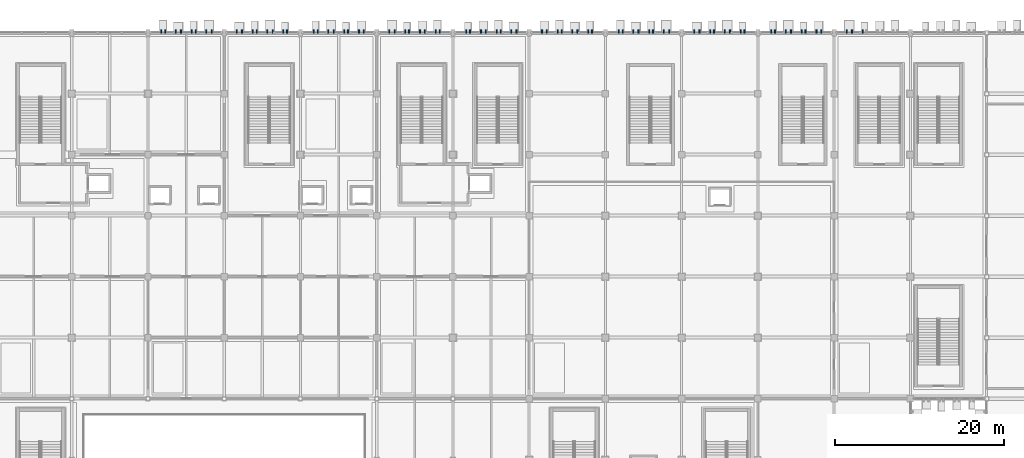
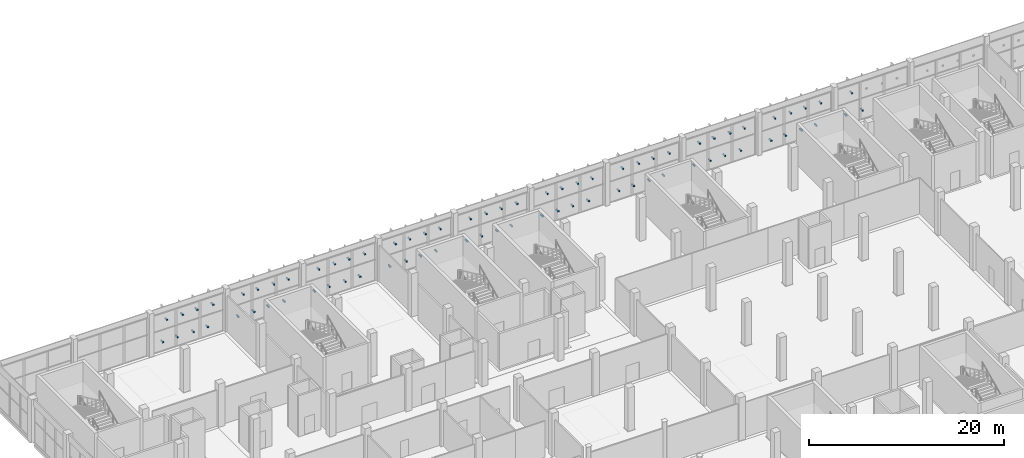
# One storey, part 155 of 189: 75 discrete accessories.
"""IFC4 building model written with IfcOpenShell, lengths in metres."""

from ifc_helpers import new_model, si_unit, direction, frame, origin, origin_2d, place, context, subcontext, project, spatial, rectangle, extrude, material, type_object, element, save


model = new_model("IFC4")

# Units and contexts
model_context = context("Model", 3, precision=1e-05, world=origin(), true_north=direction((0.0, 1.0)))
body_context = subcontext(model_context, "Body", "Model", "MODEL_VIEW")
ifc_project = project(units=[si_unit("LENGTHUNIT", "METRE"), si_unit("AREAUNIT", "SQUARE_METRE"), si_unit("VOLUMEUNIT", "CUBIC_METRE"), si_unit("PLANEANGLEUNIT", "RADIAN"), si_unit("MASSUNIT", "GRAM", prefix="KILO")], contexts=[model_context])

# Site, building, storey
site_placement = place(None, origin())
site = spatial("IfcSite", under=ifc_project, at=site_placement, CompositionType="ELEMENT")
building_placement = place(site_placement, origin())
building = spatial("IfcBuilding", under=site, at=building_placement, Name="Celestram Park Convention Centre", CompositionType="ELEMENT")
storey_placement = place(building_placement, frame((0.0, 0.0, 5.39990234375)))
storey = spatial("IfcBuildingStorey", under=building, at=storey_placement, Name="L01", CompositionType="ELEMENT", Elevation=5.39990234375)

# Discrete accessories
ifc_material = material(Name="Steel ASTM A500 Grade C", Category="steel")
discrete_accessory_type = type_object("IfcDiscreteAccessoryType", Name="ARC-BRK-OUT400", PredefinedType="BRACKET", material=ifc_material)
for number, where, z_axis, x_axis, name in (
    (1, (55.559814453125, 165.75, 1.0029296875), (0.0, 0.0, 1.0), (0.0, 1.0, 0.0), "Solar fin outrigger bracket BK-L01-0295"),
    (2, (56.040283203125, 165.75, 3.62158203125), (0.0, 0.0, 1.0), (0.0, 1.0, 0.0), "Solar fin outrigger bracket BK-L01-0296"),
    (3, (57.29150390625, 165.75, 1.01708984375), (0.0, 0.0, 1.0), (0.0, 1.0, 0.0), "Solar fin outrigger bracket BK-L01-0297"),
    (4, (57.908447265625, 165.75, 3.60693359375), (0.0, 0.0, 1.0), (0.0, 1.0, 0.0), "Solar fin outrigger bracket BK-L01-0298"),
    (5, (59.17333984375, 165.75, 1.00048828125), (0.0, 0.0, 1.0), (0.0, 1.0, 0.0), "Solar fin outrigger bracket BK-L01-0299"),
    (6, (59.626708984375, 165.75, 3.6240234375), (0.0, 0.0, 1.0), (0.0, 1.0, 0.0), "Solar fin outrigger bracket BK-L01-0300"),
    (7, (60.882568359375, 165.75, 1.01953125), (0.0, 0.0, 1.0), (0.0, 1.0, 0.0), "Solar fin outrigger bracket BK-L01-0301"),
    (8, (61.517578125, 165.75, 3.60498046875), (0.0, 0.0, 1.0), (0.0, 1.0, 0.0), "Solar fin outrigger bracket BK-L01-0302"),
    (9, (64.491455078125, 165.75, 1.01708984375), (0.0, 0.0, 1.0), (0.0, 1.0, 0.0), "Solar fin outrigger bracket BK-L01-0303"),
    (10, (65.1083984375, 165.75, 3.60693359375), (0.0, 0.0, 1.0), (0.0, 1.0, 0.0), "Solar fin outrigger bracket BK-L01-0304"),
    (11, (66.373291015625, 165.75, 1.00048828125), (0.0, 0.0, 1.0), (0.0, 1.0, 0.0), "Solar fin outrigger bracket BK-L01-0305"),
    (12, (66.82666015625, 165.75, 3.6240234375), (0.0, 0.0, 1.0), (0.0, 1.0, 0.0), "Solar fin outrigger bracket BK-L01-0306"),
    (13, (68.08251953125, 165.75, 1.01953125), (0.0, 0.0, 1.0), (0.0, 1.0, 0.0), "Solar fin outrigger bracket BK-L01-0307"),
    (14, (68.717529296875, 165.75, 3.60498046875), (0.0, 0.0, 1.0), (0.0, 1.0, 0.0), "Solar fin outrigger bracket BK-L01-0308"),
    (15, (69.9873046875, 165.75, 0.998046875), (0.0, 0.0, 1.0), (0.0, 1.0, 0.0), "Solar fin outrigger bracket BK-L01-0309"),
    (16, (70.412841796875, 165.75, 3.6259765625), (0.0, 0.0, 1.0), (0.0, 1.0, 0.0), "Solar fin outrigger bracket BK-L01-0310"),
    (17, (73.573486328125, 165.75, 1.00048828125), (0.0, 0.0, 1.0), (0.0, 1.0, 0.0), "Solar fin outrigger bracket BK-L01-0311"),
    (18, (74.026611328125, 165.75, 3.6240234375), (0.0, 0.0, 1.0), (0.0, 1.0, 0.0), "Solar fin outrigger bracket BK-L01-0312"),
    (19, (75.282470703125, 165.75, 1.01953125), (0.0, 0.0, 1.0), (0.0, 1.0, 0.0), "Solar fin outrigger bracket BK-L01-0313"),
    (20, (75.91748046875, 165.75, 3.60498046875), (0.0, 0.0, 1.0), (0.0, 1.0, 0.0), "Solar fin outrigger bracket BK-L01-0314"),
    (21, (77.187255859375, 165.75, 0.998046875), (0.0, 0.0, 1.0), (0.0, 1.0, 0.0), "Solar fin outrigger bracket BK-L01-0315"),
    (22, (77.61279296875, 165.75, 3.6259765625), (0.0, 0.0, 1.0), (0.0, 1.0, 0.0), "Solar fin outrigger bracket BK-L01-0316"),
    (23, (78.9208984375, 165.75, 1.0107421875), (0.0, 0.0, 1.0), (0.0, 1.0, 0.0), "Solar fin outrigger bracket BK-L01-0317"),
    (24, (79.47900390625, 165.75, 3.61376953125), (0.0, 0.0, 1.0), (0.0, 1.0, 0.0), "Solar fin outrigger bracket BK-L01-0318"),
    (25, (82.482421875, 165.75, 1.01953125), (0.0, 0.0, 1.0), (0.0, 1.0, 0.0), "Solar fin outrigger bracket BK-L01-0319"),
    (26, (83.117431640625, 165.75, 3.60498046875), (0.0, 0.0, 1.0), (0.0, 1.0, 0.0), "Solar fin outrigger bracket BK-L01-0320"),
    (27, (84.38720703125, 165.75, 0.998046875), (0.0, 0.0, 1.0), (0.0, 1.0, 0.0), "Solar fin outrigger bracket BK-L01-0321"),
    (28, (84.812744140625, 165.75, 3.6259765625), (0.0, 0.0, 1.0), (0.0, 1.0, 0.0), "Solar fin outrigger bracket BK-L01-0322"),
    (29, (86.12109375, 165.75, 1.0107421875), (0.0, 0.0, 1.0), (0.0, 1.0, 0.0), "Solar fin outrigger bracket BK-L01-0323"),
    (30, (86.678955078125, 165.75, 3.61376953125), (0.0, 0.0, 1.0), (0.0, 1.0, 0.0), "Solar fin outrigger bracket BK-L01-0324"),
    (31, (87.959716796875, 165.75, 1.0029296875), (0.0, 0.0, 1.0), (0.0, 1.0, 0.0), "Solar fin outrigger bracket BK-L01-0325"),
    (32, (88.440185546875, 165.75, 3.62158203125), (0.0, 0.0, 1.0), (0.0, 1.0, 0.0), "Solar fin outrigger bracket BK-L01-0326"),
    (33, (91.587158203125, 165.75, 0.998046875), (0.0, 0.0, 1.0), (0.0, 1.0, 0.0), "Solar fin outrigger bracket BK-L01-0327"),
    (34, (92.0126953125, 165.75, 3.6259765625), (0.0, 0.0, 1.0), (0.0, 1.0, 0.0), "Solar fin outrigger bracket BK-L01-0328"),
    (35, (93.321044921875, 165.75, 1.0107421875), (0.0, 0.0, 1.0), (0.0, 1.0, 0.0), "Solar fin outrigger bracket BK-L01-0329"),
    (36, (93.87890625, 165.75, 3.61376953125), (0.0, 0.0, 1.0), (0.0, 1.0, 0.0), "Solar fin outrigger bracket BK-L01-0330"),
    (37, (95.15966796875, 165.75, 1.0029296875), (0.0, 0.0, 1.0), (0.0, 1.0, 0.0), "Solar fin outrigger bracket BK-L01-0331"),
    (38, (95.640380859375, 165.75, 3.62158203125), (0.0, 0.0, 1.0), (0.0, 1.0, 0.0), "Solar fin outrigger bracket BK-L01-0332"),
    (39, (96.8916015625, 165.75, 1.01708984375), (0.0, 0.0, 1.0), (0.0, 1.0, 0.0), "Solar fin outrigger bracket BK-L01-0333"),
    (40, (97.508544921875, 165.75, 3.60693359375), (0.0, 0.0, 1.0), (0.0, 1.0, 0.0), "Solar fin outrigger bracket BK-L01-0334"),
    (41, (100.52099609375, 165.75, 1.0107421875), (0.0, 0.0, 1.0), (0.0, 1.0, 0.0), "Solar fin outrigger bracket BK-L01-0335"),
    (42, (101.0791015625, 165.75, 3.61376953125), (0.0, 0.0, 1.0), (0.0, 1.0, 0.0), "Solar fin outrigger bracket BK-L01-0336"),
    (43, (102.359619140625, 165.75, 1.0029296875), (0.0, 0.0, 1.0), (0.0, 1.0, 0.0), "Solar fin outrigger bracket BK-L01-0337"),
    (44, (102.84033203125, 165.75, 3.62158203125), (0.0, 0.0, 1.0), (0.0, 1.0, 0.0), "Solar fin outrigger bracket BK-L01-0338"),
    (45, (104.091552734375, 165.75, 1.01708984375), (0.0, 0.0, 1.0), (0.0, 1.0, 0.0), "Solar fin outrigger bracket BK-L01-0339"),
    (46, (104.70849609375, 165.75, 3.60693359375), (0.0, 0.0, 1.0), (0.0, 1.0, 0.0), "Solar fin outrigger bracket BK-L01-0340"),
    (47, (105.973388671875, 165.75, 1.00048828125), (0.0, 0.0, 1.0), (0.0, 1.0, 0.0), "Solar fin outrigger bracket BK-L01-0341"),
    (48, (106.426513671875, 165.75, 3.6240234375), (0.0, 0.0, 1.0), (0.0, 1.0, 0.0), "Solar fin outrigger bracket BK-L01-0342"),
    (49, (109.559814453125, 165.75, 1.0029296875), (0.0, 0.0, 1.0), (0.0, 1.0, 0.0), "Solar fin outrigger bracket BK-L01-0343"),
    (50, (110.040283203125, 165.75, 3.62158203125), (0.0, 0.0, 1.0), (0.0, 1.0, 0.0), "Solar fin outrigger bracket BK-L01-0344"),
    (51, (111.29150390625, 165.75, 1.01708984375), (0.0, 0.0, 1.0), (0.0, 1.0, 0.0), "Solar fin outrigger bracket BK-L01-0345"),
    (52, (111.908447265625, 165.75, 3.60693359375), (0.0, 0.0, 1.0), (0.0, 1.0, 0.0), "Solar fin outrigger bracket BK-L01-0346"),
    (53, (113.17333984375, 165.75, 1.00048828125), (0.0, 0.0, 1.0), (0.0, 1.0, 0.0), "Solar fin outrigger bracket BK-L01-0347"),
    (54, (113.626708984375, 165.75, 3.6240234375), (0.0, 0.0, 1.0), (0.0, 1.0, 0.0), "Solar fin outrigger bracket BK-L01-0348"),
    (55, (114.882568359375, 165.75, 1.01953125), (0.0, 0.0, 1.0), (0.0, 1.0, 0.0), "Solar fin outrigger bracket BK-L01-0349"),
    (56, (115.517578125, 165.75, 3.60498046875), (0.0, 0.0, 1.0), (0.0, 1.0, 0.0), "Solar fin outrigger bracket BK-L01-0350"),
    (57, (118.491455078125, 165.75, 1.01708984375), (0.0, 0.0, 1.0), (0.0, 1.0, 0.0), "Solar fin outrigger bracket BK-L01-0351"),
    (58, (119.1083984375, 165.75, 3.60693359375), (0.0, 0.0, 1.0), (0.0, 1.0, 0.0), "Solar fin outrigger bracket BK-L01-0352"),
    (59, (120.373291015625, 165.75, 1.00048828125), (0.0, 0.0, 1.0), (0.0, 1.0, 0.0), "Solar fin outrigger bracket BK-L01-0353"),
    (60, (120.82666015625, 165.75, 3.6240234375), (0.0, 0.0, 1.0), (0.0, 1.0, 0.0), "Solar fin outrigger bracket BK-L01-0354"),
    (61, (122.08251953125, 165.75, 1.01953125), (0.0, 0.0, 1.0), (0.0, 1.0, 0.0), "Solar fin outrigger bracket BK-L01-0355"),
    (62, (122.717529296875, 165.75, 3.60498046875), (0.0, 0.0, 1.0), (0.0, 1.0, 0.0), "Solar fin outrigger bracket BK-L01-0356"),
    (63, (123.9873046875, 165.75, 0.998046875), (0.0, 0.0, 1.0), (0.0, 1.0, 0.0), "Solar fin outrigger bracket BK-L01-0357"),
    (64, (124.412841796875, 165.75, 3.6259765625), (0.0, 0.0, 1.0), (0.0, 1.0, 0.0), "Solar fin outrigger bracket BK-L01-0358"),
    (65, (127.573486328125, 165.75, 1.00048828125), (0.0, 0.0, 1.0), (0.0, 1.0, 0.0), "Solar fin outrigger bracket BK-L01-0359"),
    (66, (128.026611328125, 165.75, 3.6240234375), (0.0, 0.0, 1.0), (0.0, 1.0, 0.0), "Solar fin outrigger bracket BK-L01-0360"),
    (67, (129.282470703125, 165.75, 1.01953125), (0.0, 0.0, 1.0), (0.0, 1.0, 0.0), "Solar fin outrigger bracket BK-L01-0361"),
    (68, (129.91748046875, 165.75, 3.60498046875), (0.0, 0.0, 1.0), (0.0, 1.0, 0.0), "Solar fin outrigger bracket BK-L01-0362"),
    (69, (131.187255859375, 165.75, 0.998046875), (0.0, 0.0, 1.0), (0.0, 1.0, 0.0), "Solar fin outrigger bracket BK-L01-0363"),
    (70, (131.61279296875, 165.75, 3.6259765625), (0.0, 0.0, 1.0), (0.0, 1.0, 0.0), "Solar fin outrigger bracket BK-L01-0364"),
    (71, (132.9208984375, 165.75, 1.0107421875), (0.0, 0.0, 1.0), (0.0, 1.0, 0.0), "Solar fin outrigger bracket BK-L01-0365"),
    (72, (133.47900390625, 165.75, 3.61376953125), (0.0, 0.0, 1.0), (0.0, 1.0, 0.0), "Solar fin outrigger bracket BK-L01-0366"),
    (73, (136.482421875, 165.75, 1.01953125), (0.0, 0.0, 1.0), (0.0, 1.0, 0.0), "Solar fin outrigger bracket BK-L01-0367"),
    (74, (137.117431640625, 165.75, 3.60498046875), (0.0, 0.0, 1.0), (0.0, 1.0, 0.0), "Solar fin outrigger bracket BK-L01-0368"),
    (75, (138.38720703125, 165.75, 0.998046875), (0.0, 0.0, 1.0), (0.0, 1.0, 0.0), "Solar fin outrigger bracket BK-L01-0369"),
):
    element("IfcDiscreteAccessory", number, at=place(storey_placement, frame(where, z_axis=z_axis, x_axis=x_axis)), inside=storey, type_object=discrete_accessory_type, Name=name, PredefinedType="BRACKET", context=body_context, shape_type="SweptSolid", body=[
        extrude(rectangle(XDim=0.39990234375, YDim=0.139892578125, at=origin_2d()), origin(), (0.0, 0.0, 1.0), 0.139892578125),
    ])

save(model, "model.ifc")
